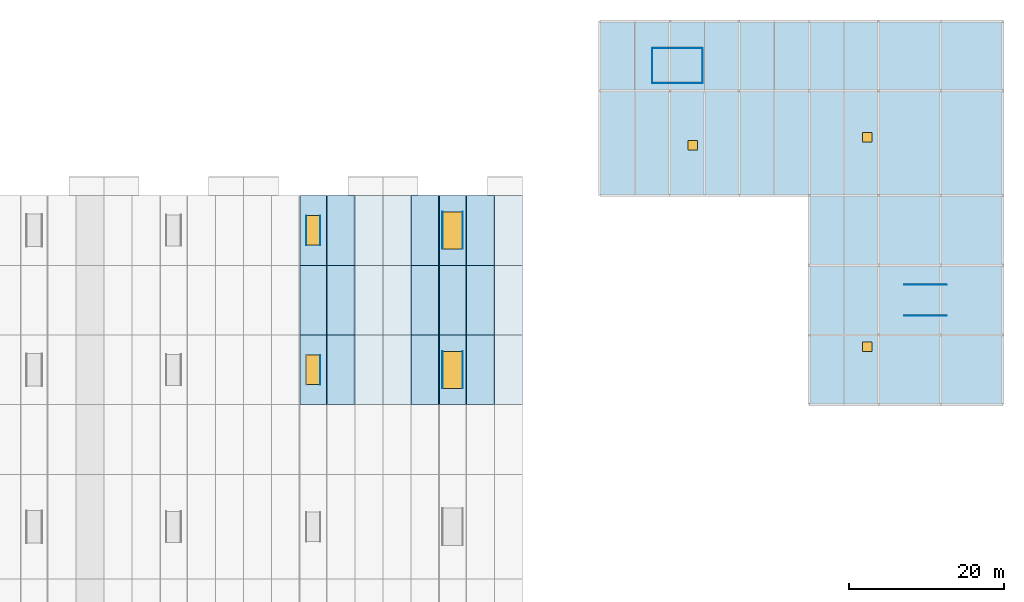
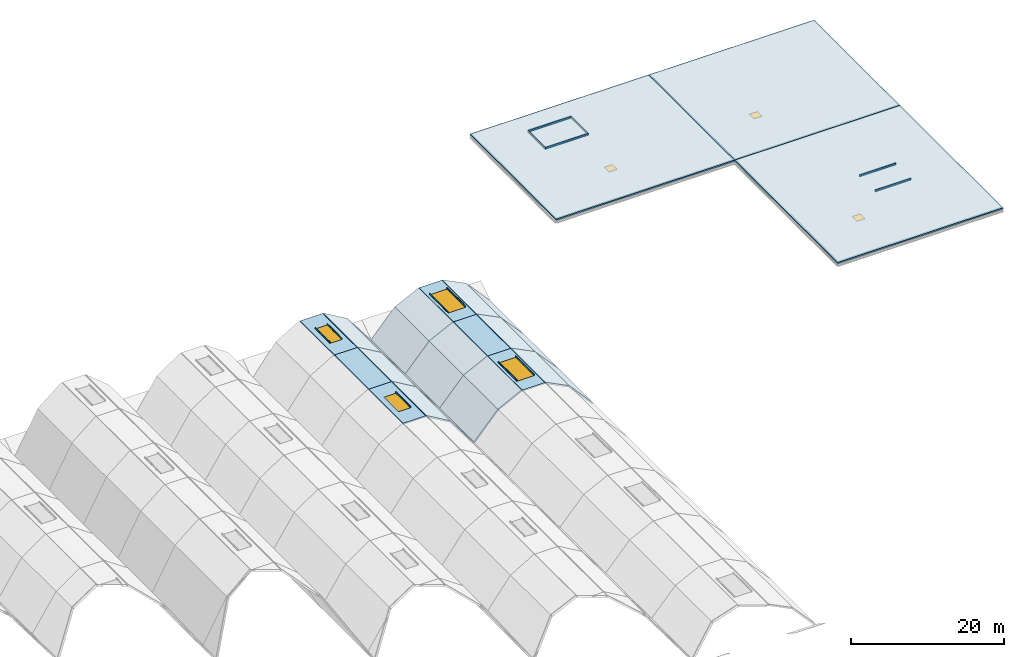
# One storey, part 7 of 11: 27 slabs, 13 plates, 7 windows, 7 openings.
"""IFC4 building model written with IfcOpenShell, lengths in metres."""

from ifc_helpers import new_model, si_unit, direction, frame, origin, origin_2d, place, context, subcontext, project, spatial, polyline, rectangle, outline, extrude, material, layer, layer_set, type_object, element, fill, save


model = new_model("IFC4")

# Units and contexts
model_context = context("Model", 3, precision=1e-05, world=origin(), true_north=direction((0.0, 1.0)))
body_context = subcontext(model_context, "Body", "Model", "MODEL_VIEW")
ifc_project = project(units=[si_unit("LENGTHUNIT", "METRE"), si_unit("AREAUNIT", "SQUARE_METRE"), si_unit("VOLUMEUNIT", "CUBIC_METRE"), si_unit("PLANEANGLEUNIT", "RADIAN"), si_unit("MASSUNIT", "GRAM", prefix="KILO")], contexts=[model_context])

# Site, building, storey
site_placement = place(None, origin())
site = spatial("IfcSite", under=ifc_project, at=site_placement, CompositionType="ELEMENT")
building_placement = place(site_placement, origin())
building = spatial("IfcBuilding", under=site, at=building_placement, Name="Chuanluo Vaults Station", CompositionType="ELEMENT")
storey_placement = place(building_placement, frame((0.0, 0.0, 24.0)))
storey = spatial("IfcBuildingStorey", under=building, at=storey_placement, Name="RF", CompositionType="ELEMENT", Elevation=24.0)

# Plates
ifc_material_1 = material(Name="Perforated anodised aluminium panel", Category="aluminium")
ifc_layer_1 = layer(ifc_material_1, 0.011962890625)
ifc_layer_set_1 = layer_set([ifc_layer_1], Name="Perforated anodised aluminium panel")
plate_type_1 = type_object("IfcPlateType", Name="PLT-SCR-12", PredefinedType="SHEET", material=ifc_layer_set_1)
for number, where, z_axis, x_axis, name in (
    (1, (146.0, 118.0, -0.35009765625), (0.0, 0.0, 1.0), (1.0, 0.0, 0.0), "Roof acoustic louvre plant screen 01"),
    (2, (146.0, 122.5, -0.35009765625), (0.0, 0.0, 1.0), (1.0, 0.0, 0.0), "Roof acoustic louvre plant screen 02"),
):
    element("IfcPlate", number, at=place(storey_placement, frame(where, z_axis=z_axis, x_axis=x_axis)), inside=storey, type_object=plate_type_1, Name=name, PredefinedType="SHEET", context=body_context, shape_type="SweptSolid", body=[
        extrude(rectangle(XDim=6.5, YDim=0.011962890625, at=origin_2d()), origin(), (0.0, 0.0, 1.0), 0.340087890625),
    ])
for number, where, z_axis, x_axis, name in (
    (3, (142.75, 120.25, -0.35009765625), (0.0, 0.0, 1.0), (0.0, 1.0, 0.0), "Roof acoustic louvre plant screen 03"),
    (4, (149.25, 120.25, -0.35009765625), (0.0, 0.0, 1.0), (0.0, 1.0, 0.0), "Roof acoustic louvre plant screen 04"),
):
    element("IfcPlate", number, at=place(storey_placement, frame(where, z_axis=z_axis, x_axis=x_axis)), inside=storey, type_object=plate_type_1, Name=name, PredefinedType="SHEET", context=body_context, shape_type="SweptSolid", body=[
        extrude(rectangle(XDim=4.5, YDim=0.011962890625, at=origin_2d()), origin(), (0.0, 0.0, 1.0), 0.340087890625),
    ])
for number, where, z_axis, x_axis, name in (
    (5, (178.0, 88.0, -0.35009765625), (0.0, 0.0, 1.0), (1.0, 0.0, 0.0), "Roof acoustic louvre plant screen 05"),
    (6, (178.0, 92.0, -0.35009765625), (0.0, 0.0, 1.0), (1.0, 0.0, 0.0), "Roof acoustic louvre plant screen 06"),
):
    element("IfcPlate", number, at=place(storey_placement, frame(where, z_axis=z_axis, x_axis=x_axis)), inside=storey, type_object=plate_type_1, Name=name, PredefinedType="SHEET", context=body_context, shape_type="SweptSolid", body=[
        extrude(rectangle(XDim=5.5, YDim=0.011962890625, at=origin_2d()), origin(), (0.0, 0.0, 1.0), 0.340087890625),
    ])
ifc_material_2 = material(Name="Laminated safety skylight glass", Category="glass")
ifc_layer_2 = layer(ifc_material_2, 0.033935546875)
ifc_layer_set_2 = layer_set([ifc_layer_2], Name="Laminated safety skylight glass")
plate_type_2 = type_object("IfcPlateType", Name="PLT-SKY-01", PredefinedType="SHEET", material=ifc_layer_set_2)
plate_placement = place(storey_placement, frame((98.10009765625, 99.0, -3.0498046875), z_axis=(0.0, 0.0, 1.0), x_axis=(1.0, 0.0, 0.0)))
element("IfcPlate", 7, at=plate_placement, inside=storey, type_object=plate_type_2, Name="Vault V6 skylight kerb plate 30W", PredefinedType="SHEET", context=body_context, shape_type="SweptSolid", body=[
    extrude(rectangle(XDim=0.033935546875, YDim=3.800048828125, at=origin_2d()), origin(), (0.0, 0.0, 1.0), 0.219970703125),
])
for number, where, z_axis, x_axis, name in (
    (8, (115.699951171875, 81.0, -4.0498046875), (0.0, 0.0, 1.0), (1.0, 0.0, 0.0), "Vault V7 skylight kerb plate 34W"),
    (9, (115.699951171875, 99.0, -4.0498046875), (0.0, 0.0, 1.0), (1.0, 0.0, 0.0), "Vault V7 skylight kerb plate 35W"),
):
    element("IfcPlate", number, at=place(storey_placement, frame(where, z_axis=z_axis, x_axis=x_axis)), inside=storey, type_object=plate_type_2, Name=name, PredefinedType="SHEET", context=body_context, shape_type="SweptSolid", body=[
        extrude(rectangle(XDim=0.033935546875, YDim=4.800048828125, at=origin_2d()), origin(), (0.0, 0.0, 1.0), 0.219970703125),
    ])
ifc_material_3 = material(Name="Laminated safety skylight glass", Category="glass")
ifc_layer_3 = layer(ifc_material_3, 0.030029296875)
ifc_layer_set_3 = layer_set([ifc_layer_3], Name="Laminated safety skylight glass")
plate_type_3 = type_object("IfcPlateType", Name="PLT-SKY-02", PredefinedType="SHEET", material=ifc_layer_set_3)
for number, where, z_axis, x_axis, name in (
    (10, (99.89990234375, 81.0, -3.0498046875), (0.0, 0.0, 1.0), (1.0, 0.0, 0.0), "Vault V6 skylight kerb plate 29E"),
    (11, (99.89990234375, 99.0, -3.0498046875), (0.0, 0.0, 1.0), (1.0, 0.0, 0.0), "Vault V6 skylight kerb plate 30E"),
):
    element("IfcPlate", number, at=place(storey_placement, frame(where, z_axis=z_axis, x_axis=x_axis)), inside=storey, type_object=plate_type_3, Name=name, PredefinedType="SHEET", context=body_context, shape_type="SweptSolid", body=[
        extrude(rectangle(XDim=0.030029296875, YDim=3.800048828125, at=origin_2d()), origin(), (0.0, 0.0, 1.0), 0.219970703125),
    ])
for number, where, z_axis, x_axis, name in (
    (12, (118.300048828125, 81.0, -4.0498046875), (0.0, 0.0, 1.0), (1.0, 0.0, 0.0), "Vault V7 skylight kerb plate 34E"),
    (13, (118.300048828125, 99.0, -4.0498046875), (0.0, 0.0, 1.0), (1.0, 0.0, 0.0), "Vault V7 skylight kerb plate 35E"),
):
    element("IfcPlate", number, at=place(storey_placement, frame(where, z_axis=z_axis, x_axis=x_axis)), inside=storey, type_object=plate_type_3, Name=name, PredefinedType="SHEET", context=body_context, shape_type="SweptSolid", body=[
        extrude(rectangle(XDim=0.030029296875, YDim=4.800048828125, at=origin_2d()), origin(), (0.0, 0.0, 1.0), 0.219970703125),
    ])

# Slab, opening, window
ifc_material_4 = material(Name="Concrete C40", Category="concrete")
ifc_layer_4 = layer(ifc_material_4, 0.205078125)
ifc_layer_set_4 = layer_set([ifc_layer_4], Name="Concrete C40")
slab_type_1 = type_object("IfcSlabType", Name="SLB-ROOF-205", PredefinedType="ROOF", material=ifc_layer_set_4)
slab_1_placement = place(storey_placement, frame((0.0, 0.0, -0.554931640625)))
slab_1 = element("IfcSlab", 14, at=slab_1_placement, inside=storey, type_object=slab_type_1, Name="RF roof slab MAIN1", PredefinedType="ROOF", context=body_context, shape_type="SweptSolid", body=[
    extrude(outline(polyline([(163.0, 76.5), (188.0, 76.5), (188.0, 103.5), (163.0, 103.5), (163.0, 76.5)])), origin(), (0.0, 0.0, 1.0), 0.204833984375),
])
opening_1_placement = place(slab_1_placement, frame((170.5, 84.0, 0.0)))
opening_1 = element("IfcOpeningElement", 15, at=opening_1_placement, cuts=slab_1, Name="Opening RH-01", PredefinedType="OPENING", context=body_context, shape_type="SweptSolid", body=[
    extrude(rectangle(XDim=1.199951171875, YDim=1.199951171875, at=origin_2d()), frame((0.0, 0.0, -0.01)), (0.0, 0.0, 1.0), 0.22483),
])
ifc_material_5 = material(Name="Brushed stainless steel 304", Category="steel")
window_type_1 = type_object("IfcWindowType", Name="SKY-HTH-1200x1200", PartitioningType="SINGLE_PANEL", PredefinedType="LIGHTDOME", material=ifc_material_5)
window_1_placement = place(opening_1_placement, frame((0.0, 0.0, 0.15478515625)))
window_1 = element("IfcWindow", 16, at=window_1_placement, inside=storey, type_object=window_type_1, Name="Roof maintenance access hatch RH-01", OverallHeight=1.199951171875, OverallWidth=1.199951171875, PartitioningType="SINGLE_PANEL", PredefinedType="LIGHTDOME", context=body_context, shape_type="SweptSolid", body=[
    extrude(rectangle(XDim=1.199951171875, YDim=1.199951171875, at=origin_2d()), origin(), (0.0, 0.0, 1.0), 0.050048828125),
])
fill(opening_1, window_1)

slab_2_placement = place(storey_placement, frame((0.0, 0.0, -0.554931640625)))
slab_2 = element("IfcSlab", 17, at=slab_2_placement, inside=storey, type_object=slab_type_1, Name="RF roof slab MAIN2", PredefinedType="ROOF", context=body_context, shape_type="SweptSolid", body=[
    extrude(outline(polyline([(163.0, 103.5), (188.0, 103.5), (188.0, 126.0), (163.0, 126.0), (163.0, 103.5)])), origin(), (0.0, 0.0, 1.0), 0.204833984375),
])
opening_2_placement = place(slab_2_placement, frame((170.5, 111.0, 0.0)))
opening_2 = element("IfcOpeningElement", 18, at=opening_2_placement, cuts=slab_2, Name="Opening RH-01", PredefinedType="OPENING", context=body_context, shape_type="SweptSolid", body=[
    extrude(rectangle(XDim=1.199951171875, YDim=1.199951171875, at=origin_2d()), frame((0.0, 0.0, -0.01)), (0.0, 0.0, 1.0), 0.22483),
])
window_2_placement = place(opening_2_placement, frame((0.0, 0.0, 0.15478515625)))
window_2 = element("IfcWindow", 19, at=window_2_placement, inside=storey, type_object=window_type_1, Name="Roof maintenance access hatch RH-02", OverallHeight=1.199951171875, OverallWidth=1.199951171875, PartitioningType="SINGLE_PANEL", PredefinedType="LIGHTDOME", context=body_context, shape_type="SweptSolid", body=[
    extrude(rectangle(XDim=1.199951171875, YDim=1.199951171875, at=origin_2d()), origin(), (0.0, 0.0, 1.0), 0.050048828125),
])
fill(opening_2, window_2)

slab_3_placement = place(storey_placement, frame((0.0, 0.0, -0.554931640625)))
slab_3 = element("IfcSlab", 20, at=slab_3_placement, inside=storey, type_object=slab_type_1, Name="RF roof slab MAIN3", PredefinedType="ROOF", context=body_context, shape_type="SweptSolid", body=[
    extrude(outline(polyline([(136.0, 103.5), (163.0, 103.5), (163.0, 126.0), (136.0, 126.0), (136.0, 103.5)])), origin(), (0.0, 0.0, 1.0), 0.204833984375),
])
opening_3_placement = place(slab_3_placement, frame((148.0, 110.0, 0.0)))
opening_3 = element("IfcOpeningElement", 21, at=opening_3_placement, cuts=slab_3, Name="Opening RH-01", PredefinedType="OPENING", context=body_context, shape_type="SweptSolid", body=[
    extrude(rectangle(XDim=1.199951171875, YDim=1.199951171875, at=origin_2d()), frame((0.0, 0.0, -0.01)), (0.0, 0.0, 1.0), 0.22483),
])
window_3_placement = place(opening_3_placement, frame((0.0, 0.0, 0.15478515625)))
window_3 = element("IfcWindow", 22, at=window_3_placement, inside=storey, type_object=window_type_1, Name="Roof maintenance access hatch RH-03", OverallHeight=1.199951171875, OverallWidth=1.199951171875, PartitioningType="SINGLE_PANEL", PredefinedType="LIGHTDOME", context=body_context, shape_type="SweptSolid", body=[
    extrude(rectangle(XDim=1.199951171875, YDim=1.199951171875, at=origin_2d()), origin(), (0.0, 0.0, 1.0), 0.050048828125),
])
fill(opening_3, window_3)

# Slabs
ifc_material_6 = material(Name="Concrete C50", Category="concrete")
ifc_layer_5 = layer(ifc_material_6, 0.219970703125)
ifc_layer_set_5 = layer_set([ifc_layer_5], Name="Concrete C50")
slab_type_2 = type_object("IfcSlabType", Name="SLB-VLT-220", PredefinedType="ROOF", material=ifc_layer_set_5)
slab_4_placement = place(storey_placement, frame((100.800048828125, 76.5, -3.050048828125), z_axis=(0.505300394389, 0.0, 0.862943515782), x_axis=(0.862943515782, 0.0, -0.505300394389)))
element("IfcSlab", 23, at=slab_4_placement, inside=storey, type_object=slab_type_2, Name="Vault V6 planar roof facet 6-R2", PredefinedType="ROOF", context=body_context, shape_type="SweptSolid", body=[
    extrude(outline(polyline([(0.0, 0.0), (4.171598082363588, 0.0), (4.171598082363588, 8.999999999999998), (0.0, 8.999999999999998), (0.0, 0.0)])), origin(), (0.0, 0.0, -1.0), 0.219970703125),
])
slab_5_placement = place(storey_placement, frame((104.39990234375, 76.5, -5.157958984375), z_axis=(0.793378408249, 0.0, 0.608728758418), x_axis=(0.608728758418, 0.0, -0.793378408249)))
element("IfcSlab", 24, at=slab_5_placement, inside=storey, type_object=slab_type_2, Name="Vault V6 planar roof facet 6-R1", PredefinedType="ROOF", context=body_context, shape_type="SweptSolid", body=[
    extrude(outline(polyline([(0.0, 0.0), (5.914124487245905, 0.0), (5.914124487245905, 9.0), (0.0, 9.0), (0.0, 0.0)])), origin(), (0.0, 0.0, -1.0), 0.219970703125),
])

# Slab, opening, window
slab_6_placement = place(storey_placement, frame((0.0, 0.0, -3.27001953125)))
slab_6 = element("IfcSlab", 25, at=slab_6_placement, inside=storey, type_object=slab_type_2, Name="Vault V6 crown skylight slab 6", PredefinedType="ROOF", context=body_context, shape_type="SweptSolid", body=[
    extrude(outline(polyline([(97.296142578125, 76.5), (100.703857421875, 76.5), (100.703857421875, 85.5), (97.296142578125, 85.5), (97.296142578125, 76.5)])), origin(), (0.0, 0.0, 1.0), 0.219970703125),
])
opening_4_placement = place(slab_6_placement, frame((99.0, 81.0, 0.0)))
opening_4 = element("IfcOpeningElement", 26, at=opening_4_placement, cuts=slab_6, Name="Opening SK-06", PredefinedType="OPENING", context=body_context, shape_type="SweptSolid", body=[
    extrude(rectangle(XDim=1.800048828125, YDim=3.800048828125, at=origin_2d()), frame((0.0, 0.0, -0.01)), (0.0, 0.0, 1.0), 0.23997),
])
ifc_material_7 = material(Name="Laminated safety skylight glass", Category="glass")
window_type_2 = type_object("IfcWindowType", Name="SKY-VLT-1800x3800", PartitioningType="SINGLE_PANEL", PredefinedType="SKYLIGHT", material=ifc_material_7)
window_4_placement = place(opening_4_placement, frame((0.0, 0.0, 0.169921875)))
window_4 = element("IfcWindow", 27, at=window_4_placement, inside=storey, type_object=window_type_2, Name="Vault V6 ridge skylight 29", OverallHeight=3.800048828125, OverallWidth=1.800048828125, PartitioningType="SINGLE_PANEL", PredefinedType="SKYLIGHT", context=body_context, shape_type="SweptSolid", body=[
    extrude(rectangle(XDim=1.800048828125, YDim=3.800048828125, at=origin_2d()), origin(), (0.0, 0.0, 1.0), 0.050048828125),
])
fill(opening_4, window_4)

# Slabs
slab_7_placement = place(storey_placement, frame((100.800048828125, 85.5, -3.050048828125), z_axis=(0.505300394389, 0.0, 0.862943515782), x_axis=(0.862943515782, 0.0, -0.505300394389)))
element("IfcSlab", 28, at=slab_7_placement, inside=storey, type_object=slab_type_2, Name="Vault V6 planar roof facet 7-R2", PredefinedType="ROOF", context=body_context, shape_type="SweptSolid", body=[
    extrude(outline(polyline([(0.0, 0.0), (4.171598082363588, 0.0), (4.171598082363588, 8.999999999999998), (0.0, 8.999999999999998), (0.0, 0.0)])), origin(), (0.0, 0.0, -1.0), 0.219970703125),
])
slab_8_placement = place(storey_placement, frame((104.39990234375, 85.5, -5.157958984375), z_axis=(0.793378408249, 0.0, 0.608728758418), x_axis=(0.608728758418, 0.0, -0.793378408249)))
element("IfcSlab", 29, at=slab_8_placement, inside=storey, type_object=slab_type_2, Name="Vault V6 planar roof facet 7-R1", PredefinedType="ROOF", context=body_context, shape_type="SweptSolid", body=[
    extrude(outline(polyline([(0.0, 0.0), (5.914124487245905, 0.0), (5.914124487245905, 9.0), (0.0, 9.0), (0.0, 0.0)])), origin(), (0.0, 0.0, -1.0), 0.219970703125),
])
slab_9_placement = place(storey_placement, frame((0.0, 0.0, -3.27001953125)))
element("IfcSlab", 30, at=slab_9_placement, inside=storey, type_object=slab_type_2, Name="Vault V6 crown skylight slab 7", PredefinedType="ROOF", context=body_context, shape_type="SweptSolid", body=[
    extrude(outline(polyline([(97.296142578125, 85.5), (100.703857421875, 85.5), (100.703857421875, 94.5), (97.296142578125, 94.5), (97.296142578125, 85.5)])), origin(), (0.0, 0.0, 1.0), 0.219970703125),
])
slab_10_placement = place(storey_placement, frame((100.800048828125, 94.5, -3.050048828125), z_axis=(0.505300394389, 0.0, 0.862943515782), x_axis=(0.862943515782, 0.0, -0.505300394389)))
element("IfcSlab", 31, at=slab_10_placement, inside=storey, type_object=slab_type_2, Name="Vault V6 planar roof facet 8-R2", PredefinedType="ROOF", context=body_context, shape_type="SweptSolid", body=[
    extrude(outline(polyline([(0.0, 0.0), (4.171598082363588, 0.0), (4.171598082363588, 8.999999999999998), (0.0, 8.999999999999998), (0.0, 0.0)])), origin(), (0.0, 0.0, -1.0), 0.219970703125),
])
slab_11_placement = place(storey_placement, frame((104.39990234375, 94.5, -5.157958984375), z_axis=(0.793378408249, 0.0, 0.608728758418), x_axis=(0.608728758418, 0.0, -0.793378408249)))
element("IfcSlab", 32, at=slab_11_placement, inside=storey, type_object=slab_type_2, Name="Vault V6 planar roof facet 8-R1", PredefinedType="ROOF", context=body_context, shape_type="SweptSolid", body=[
    extrude(outline(polyline([(0.0, 0.0), (5.914124487245905, 0.0), (5.914124487245905, 9.0), (0.0, 9.0), (0.0, 0.0)])), origin(), (0.0, 0.0, -1.0), 0.219970703125),
])

# Slab, opening, window
slab_12_placement = place(storey_placement, frame((0.0, 0.0, -3.27001953125)))
slab_12 = element("IfcSlab", 33, at=slab_12_placement, inside=storey, type_object=slab_type_2, Name="Vault V6 crown skylight slab 8", PredefinedType="ROOF", context=body_context, shape_type="SweptSolid", body=[
    extrude(outline(polyline([(97.296142578125, 94.5), (100.703857421875, 94.5), (100.703857421875, 103.5), (97.296142578125, 103.5), (97.296142578125, 94.5)])), origin(), (0.0, 0.0, 1.0), 0.219970703125),
])
opening_5_placement = place(slab_12_placement, frame((99.0, 99.0, 0.0)))
opening_5 = element("IfcOpeningElement", 34, at=opening_5_placement, cuts=slab_12, Name="Opening SK-06", PredefinedType="OPENING", context=body_context, shape_type="SweptSolid", body=[
    extrude(rectangle(XDim=1.800048828125, YDim=3.800048828125, at=origin_2d()), frame((0.0, 0.0, -0.01)), (0.0, 0.0, 1.0), 0.23997),
])
window_5_placement = place(opening_5_placement, frame((0.0, 0.0, 0.169921875)))
window_5 = element("IfcWindow", 35, at=window_5_placement, inside=storey, type_object=window_type_2, Name="Vault V6 ridge skylight 30", OverallHeight=3.800048828125, OverallWidth=1.800048828125, PartitioningType="SINGLE_PANEL", PredefinedType="SKYLIGHT", context=body_context, shape_type="SweptSolid", body=[
    extrude(rectangle(XDim=1.800048828125, YDim=3.800048828125, at=origin_2d()), origin(), (0.0, 0.0, 1.0), 0.050048828125),
])
fill(opening_5, window_5)

# Slabs
slab_13_placement = place(storey_placement, frame((108.0, 76.5, -9.85009765625), z_axis=(-0.74346776464, 0.0, 0.668771771938), x_axis=(0.668771771938, 0.0, 0.74346776464)))
element("IfcSlab", 36, at=slab_13_placement, inside=storey, type_object=slab_type_2, Name="Vault V7 planar roof facet 6-L1", PredefinedType="ROOF", context=body_context, shape_type="SweptSolid", body=[
    extrude(outline(polyline([(0.0, 0.0), (5.383148343442986, 0.0), (5.383148343442986, 9.0), (0.0, 9.0), (0.0, 0.0)])), origin(), (0.0, 0.0, -1.0), 0.219970703125),
])
for number, where, z_axis, x_axis, name in (
    (37, (111.60009765625, 76.5, -5.847900390625), (-0.446800966909, 0.0, 0.894633386348), (0.894633386348, 0.0, 0.446800966909), "Vault V7 planar roof facet 6-L2"),
    (38, (118.800048828125, 76.5, -4.050048828125), (0.446800966909, 0.0, 0.894633386348), (0.894633386348, 0.0, -0.446800966909), "Vault V7 planar roof facet 6-R2"),
):
    element("IfcSlab", number, at=place(storey_placement, frame(where, z_axis=z_axis, x_axis=x_axis)), inside=storey, type_object=slab_type_2, Name=name, PredefinedType="ROOF", context=body_context, shape_type="SweptSolid", body=[
        extrude(outline(polyline([(0.0, 0.0), (4.023830957525598, 0.0), (4.023830957525598, 9.000000000000002), (0.0, 9.000000000000002), (0.0, 0.0)])), origin(), (0.0, 0.0, -1.0), 0.219970703125),
    ])
slab_14_placement = place(storey_placement, frame((122.39990234375, 76.5, -5.847900390625), z_axis=(0.74346776464, 0.0, 0.668771771938), x_axis=(0.668771771938, 0.0, -0.74346776464)))
element("IfcSlab", 39, at=slab_14_placement, inside=storey, type_object=slab_type_2, Name="Vault V7 planar roof facet 6-R1", PredefinedType="ROOF", context=body_context, shape_type="SweptSolid", body=[
    extrude(outline(polyline([(0.0, 0.0), (5.383148343442986, 0.0), (5.383148343442986, 9.0), (0.0, 9.0), (0.0, 0.0)])), origin(), (0.0, 0.0, -1.0), 0.219970703125),
])

# Slab, opening, window
slab_15_placement = place(storey_placement, frame((0.0, 0.0, -4.27001953125)))
slab_15 = element("IfcSlab", 40, at=slab_15_placement, inside=storey, type_object=slab_type_2, Name="Vault V7 crown skylight slab 6", PredefinedType="ROOF", context=body_context, shape_type="SweptSolid", body=[
    extrude(outline(polyline([(115.283203125, 76.5), (118.716796875, 76.5), (118.716796875, 85.5), (115.283203125, 85.5), (115.283203125, 76.5)])), origin(), (0.0, 0.0, 1.0), 0.219970703125),
])
opening_6_placement = place(slab_15_placement, frame((117.0, 81.0, 0.0)))
opening_6 = element("IfcOpeningElement", 41, at=opening_6_placement, cuts=slab_15, Name="Opening SK-01", PredefinedType="OPENING", context=body_context, shape_type="SweptSolid", body=[
    extrude(rectangle(XDim=2.60009765625, YDim=4.800048828125, at=origin_2d()), frame((0.0, 0.0, -0.01)), (0.0, 0.0, 1.0), 0.23997),
])
ifc_material_8 = material(Name="Laminated safety skylight glass", Category="glass")
window_type_3 = type_object("IfcWindowType", Name="SKY-VLT-2600x4800", PartitioningType="SINGLE_PANEL", PredefinedType="SKYLIGHT", material=ifc_material_8)
window_6_placement = place(opening_6_placement, frame((0.0, 0.0, 0.169921875)))
window_6 = element("IfcWindow", 42, at=window_6_placement, inside=storey, type_object=window_type_3, Name="Vault V7 ridge skylight 34", OverallHeight=4.800048828125, OverallWidth=2.60009765625, PartitioningType="SINGLE_PANEL", PredefinedType="SKYLIGHT", context=body_context, shape_type="SweptSolid", body=[
    extrude(rectangle(XDim=2.60009765625, YDim=4.800048828125, at=origin_2d()), origin(), (0.0, 0.0, 1.0), 0.050048828125),
])
fill(opening_6, window_6)

# Slabs
slab_16_placement = place(storey_placement, frame((108.0, 85.5, -9.85009765625), z_axis=(-0.74346776464, 0.0, 0.668771771938), x_axis=(0.668771771938, 0.0, 0.74346776464)))
element("IfcSlab", 43, at=slab_16_placement, inside=storey, type_object=slab_type_2, Name="Vault V7 planar roof facet 7-L1", PredefinedType="ROOF", context=body_context, shape_type="SweptSolid", body=[
    extrude(outline(polyline([(0.0, 0.0), (5.383148343442986, 0.0), (5.383148343442986, 9.0), (0.0, 9.0), (0.0, 0.0)])), origin(), (0.0, 0.0, -1.0), 0.219970703125),
])
for number, where, z_axis, x_axis, name in (
    (44, (111.60009765625, 85.5, -5.847900390625), (-0.446800966909, 0.0, 0.894633386348), (0.894633386348, 0.0, 0.446800966909), "Vault V7 planar roof facet 7-L2"),
    (45, (118.800048828125, 85.5, -4.050048828125), (0.446800966909, 0.0, 0.894633386348), (0.894633386348, 0.0, -0.446800966909), "Vault V7 planar roof facet 7-R2"),
):
    element("IfcSlab", number, at=place(storey_placement, frame(where, z_axis=z_axis, x_axis=x_axis)), inside=storey, type_object=slab_type_2, Name=name, PredefinedType="ROOF", context=body_context, shape_type="SweptSolid", body=[
        extrude(outline(polyline([(0.0, 0.0), (4.023830957525598, 0.0), (4.023830957525598, 9.000000000000002), (0.0, 9.000000000000002), (0.0, 0.0)])), origin(), (0.0, 0.0, -1.0), 0.219970703125),
    ])
slab_17_placement = place(storey_placement, frame((122.39990234375, 85.5, -5.847900390625), z_axis=(0.74346776464, 0.0, 0.668771771938), x_axis=(0.668771771938, 0.0, -0.74346776464)))
element("IfcSlab", 46, at=slab_17_placement, inside=storey, type_object=slab_type_2, Name="Vault V7 planar roof facet 7-R1", PredefinedType="ROOF", context=body_context, shape_type="SweptSolid", body=[
    extrude(outline(polyline([(0.0, 0.0), (5.383148343442986, 0.0), (5.383148343442986, 9.0), (0.0, 9.0), (0.0, 0.0)])), origin(), (0.0, 0.0, -1.0), 0.219970703125),
])
slab_18_placement = place(storey_placement, frame((0.0, 0.0, -4.27001953125)))
element("IfcSlab", 47, at=slab_18_placement, inside=storey, type_object=slab_type_2, Name="Vault V7 crown skylight slab 7", PredefinedType="ROOF", context=body_context, shape_type="SweptSolid", body=[
    extrude(outline(polyline([(115.283203125, 85.5), (118.716796875, 85.5), (118.716796875, 94.5), (115.283203125, 94.5), (115.283203125, 85.5)])), origin(), (0.0, 0.0, 1.0), 0.219970703125),
])
slab_19_placement = place(storey_placement, frame((108.0, 94.5, -9.85009765625), z_axis=(-0.74346776464, 0.0, 0.668771771938), x_axis=(0.668771771938, 0.0, 0.74346776464)))
element("IfcSlab", 48, at=slab_19_placement, inside=storey, type_object=slab_type_2, Name="Vault V7 planar roof facet 8-L1", PredefinedType="ROOF", context=body_context, shape_type="SweptSolid", body=[
    extrude(outline(polyline([(0.0, 0.0), (5.383148343442986, 0.0), (5.383148343442986, 9.0), (0.0, 9.0), (0.0, 0.0)])), origin(), (0.0, 0.0, -1.0), 0.219970703125),
])
for number, where, z_axis, x_axis, name in (
    (49, (111.60009765625, 94.5, -5.847900390625), (-0.446800966909, 0.0, 0.894633386348), (0.894633386348, 0.0, 0.446800966909), "Vault V7 planar roof facet 8-L2"),
    (50, (118.800048828125, 94.5, -4.050048828125), (0.446800966909, 0.0, 0.894633386348), (0.894633386348, 0.0, -0.446800966909), "Vault V7 planar roof facet 8-R2"),
):
    element("IfcSlab", number, at=place(storey_placement, frame(where, z_axis=z_axis, x_axis=x_axis)), inside=storey, type_object=slab_type_2, Name=name, PredefinedType="ROOF", context=body_context, shape_type="SweptSolid", body=[
        extrude(outline(polyline([(0.0, 0.0), (4.023830957525598, 0.0), (4.023830957525598, 9.000000000000002), (0.0, 9.000000000000002), (0.0, 0.0)])), origin(), (0.0, 0.0, -1.0), 0.219970703125),
    ])
slab_20_placement = place(storey_placement, frame((122.39990234375, 94.5, -5.847900390625), z_axis=(0.74346776464, 0.0, 0.668771771938), x_axis=(0.668771771938, 0.0, -0.74346776464)))
element("IfcSlab", 51, at=slab_20_placement, inside=storey, type_object=slab_type_2, Name="Vault V7 planar roof facet 8-R1", PredefinedType="ROOF", context=body_context, shape_type="SweptSolid", body=[
    extrude(outline(polyline([(0.0, 0.0), (5.383148343442986, 0.0), (5.383148343442986, 9.0), (0.0, 9.0), (0.0, 0.0)])), origin(), (0.0, 0.0, -1.0), 0.219970703125),
])

# Slab, opening, window
slab_21_placement = place(storey_placement, frame((0.0, 0.0, -4.27001953125)))
slab_21 = element("IfcSlab", 52, at=slab_21_placement, inside=storey, type_object=slab_type_2, Name="Vault V7 crown skylight slab 8", PredefinedType="ROOF", context=body_context, shape_type="SweptSolid", body=[
    extrude(outline(polyline([(115.283203125, 94.5), (118.716796875, 94.5), (118.716796875, 103.5), (115.283203125, 103.5), (115.283203125, 94.5)])), origin(), (0.0, 0.0, 1.0), 0.219970703125),
])
opening_7_placement = place(slab_21_placement, frame((117.0, 99.0, 0.0)))
opening_7 = element("IfcOpeningElement", 53, at=opening_7_placement, cuts=slab_21, Name="Opening SK-01", PredefinedType="OPENING", context=body_context, shape_type="SweptSolid", body=[
    extrude(rectangle(XDim=2.60009765625, YDim=4.800048828125, at=origin_2d()), frame((0.0, 0.0, -0.01)), (0.0, 0.0, 1.0), 0.23997),
])
window_7_placement = place(opening_7_placement, frame((0.0, 0.0, 0.169921875)))
window_7 = element("IfcWindow", 54, at=window_7_placement, inside=storey, type_object=window_type_3, Name="Vault V7 ridge skylight 35", OverallHeight=4.800048828125, OverallWidth=2.60009765625, PartitioningType="SINGLE_PANEL", PredefinedType="SKYLIGHT", context=body_context, shape_type="SweptSolid", body=[
    extrude(rectangle(XDim=2.60009765625, YDim=4.800048828125, at=origin_2d()), origin(), (0.0, 0.0, 1.0), 0.050048828125),
])
fill(opening_7, window_7)

save(model, "model.ifc")
